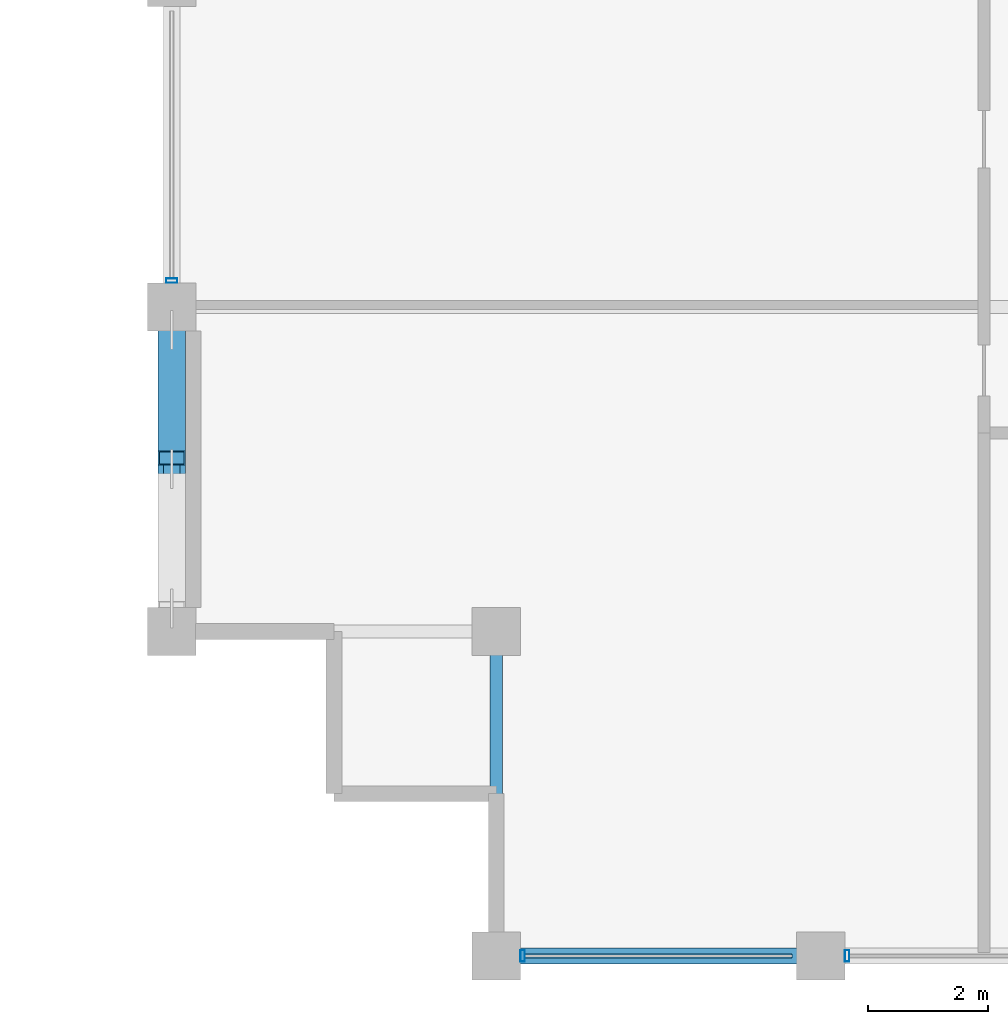
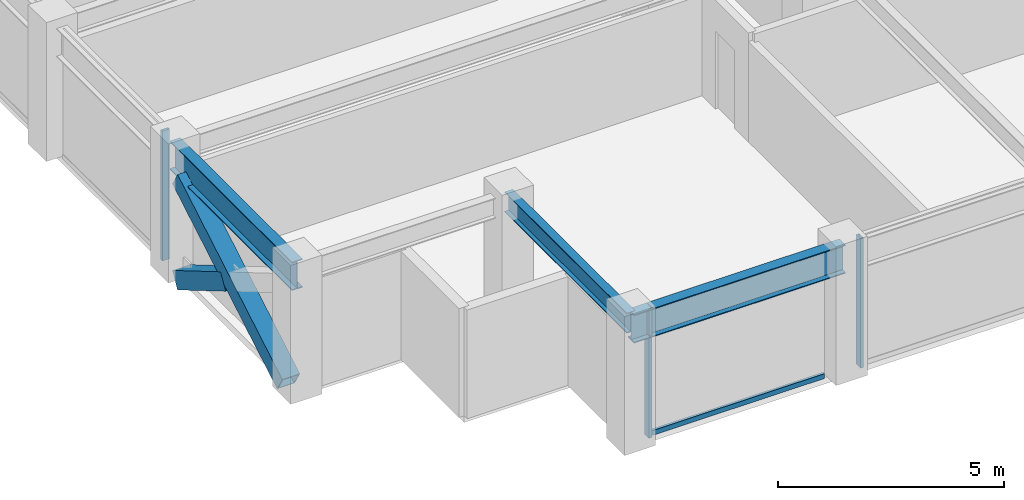
# One storey, part 2 of 28: 6 members, 3 beams, 2 elements without a shape of their own.
"""IFC4 building model written with IfcOpenShell, lengths in metres."""

from ifc_helpers import new_model, si_unit, direction, frame, origin, origin_2d, place, context, subcontext, project, spatial, hollow_rectangle, i_section, extrude, material, layer, layer_set, material_profile, profile_set, type_object, element, aggregate, save


model = new_model("IFC4")

# Units and contexts
model_context = context("Model", 3, precision=1e-05, world=origin(), true_north=direction((0.0, 1.0)))
body_context = subcontext(model_context, "Body", "Model", "MODEL_VIEW")
ifc_project = project(units=[si_unit("LENGTHUNIT", "METRE"), si_unit("AREAUNIT", "SQUARE_METRE"), si_unit("VOLUMEUNIT", "CUBIC_METRE"), si_unit("PLANEANGLEUNIT", "RADIAN"), si_unit("MASSUNIT", "GRAM", prefix="KILO")], contexts=[model_context])

# Site, building, storey
site_placement = place(None, origin())
site = spatial("IfcSite", under=ifc_project, at=site_placement, CompositionType="ELEMENT")
building_placement = place(site_placement, origin())
building = spatial("IfcBuilding", under=site, at=building_placement, Name="Surkhivell Harbour Commons", CompositionType="ELEMENT")
storey_placement = place(building_placement, frame((0.0, 0.0, 246.0)))
storey = spatial("IfcBuildingStorey", under=building, at=storey_placement, Name="L64", CompositionType="ELEMENT", Elevation=246.0)

# Beams
ifc_material_1 = material(Name="Steel S355", Category="steel")
ifc_material_profile_1 = material_profile(ifc_material_1, i_section(OverallWidth=0.2119140625, OverallDepth=0.5439453125, WebThickness=0.0126953125, FlangeThickness=0.021240234375, at=origin_2d()), Name="UB533x210x122")
ifc_profile_set_1 = profile_set([ifc_material_profile_1], Name="Steel S355")
beam_type_1 = type_object("IfcBeamType", Name="BM-GRD-533A", PredefinedType="BEAM", material=ifc_profile_set_1)
beam_1_placement = place(storey_placement, frame((-21.60009765625, -21.60009765625, 3.22802734375), z_axis=(0.0, 1.0, 0.0), x_axis=(-1.0, 0.0, 0.0)))
element("IfcBeam", 1, at=beam_1_placement, inside=storey, type_object=beam_type_1, Name="L64 Floor Girder (-21.6,-21.6)", PredefinedType="BEAM", context=body_context, shape_type="SweptSolid", body=[
    extrude(i_section(OverallWidth=0.2119140625, OverallDepth=0.5439453125, WebThickness=0.0126953125, FlangeThickness=0.021240234375, at=origin_2d()), origin(), (0.0, 0.0, 1.0), 5.400146484375),
])
ifc_material_profile_2 = material_profile(ifc_material_1, i_section(OverallWidth=0.26806640625, OverallDepth=0.77001953125, WebThickness=0.015625, FlangeThickness=0.025390625, at=origin_2d()), Name="UB762x267x197")
ifc_profile_set_2 = profile_set([ifc_material_profile_2], Name="Steel S355")
beam_type_2 = type_object("IfcBeamType", Name="BM-SPN-762", PredefinedType="SPANDREL", material=ifc_profile_set_2)
beam_2_placement = place(storey_placement, frame((-27.0, -16.199951171875, 3.114990234375), z_axis=(0.0, 1.0, 0.0), x_axis=(-1.0, 0.0, 0.0)))
element("IfcBeam", 2, at=beam_2_placement, inside=storey, type_object=beam_type_2, Name="L64 Tube Spandrel (-27.0,-16.2)", PredefinedType="SPANDREL", context=body_context, shape_type="SweptSolid", body=[
    extrude(i_section(OverallWidth=0.26806640625, OverallDepth=0.77001953125, WebThickness=0.015625, FlangeThickness=0.025390625, at=origin_2d()), origin(), (0.0, 0.0, 1.0), 5.39990234375),
])
beam_3_placement = place(storey_placement, frame((-21.60009765625, -21.60009765625, 3.114990234375), z_axis=(1.0, 0.0, 0.0), x_axis=(0.0, 1.0, 0.0)))
element("IfcBeam", 3, at=beam_3_placement, inside=storey, type_object=beam_type_2, Name="L64 Tube Spandrel (-21.6,-21.6)", PredefinedType="SPANDREL", context=body_context, shape_type="SweptSolid", body=[
    extrude(i_section(OverallWidth=0.26806640625, OverallDepth=0.77001953125, WebThickness=0.015625, FlangeThickness=0.025390625, at=origin_2d()), origin(), (0.0, 0.0, 1.0), 5.400146484375),
])

# Curtain wall, members
ifc_material_2 = material(Name="Anodised pale-metal aluminium and insulated glazing", Category="aluminium")
ifc_layer = layer(ifc_material_2, 0.18994140625)
ifc_layer_set = layer_set([ifc_layer], Name="Anodised pale-metal aluminium and insulated glazing")
curtain_wall_type = type_object("IfcCurtainWallType", Name="CW-SYS-Z3", PredefinedType="NOTDEFINED", material=ifc_layer_set)
curtain_wall_1_placement = place(storey_placement, origin())
curtain_wall_1 = element("IfcCurtainWall", 4, at=curtain_wall_1_placement, inside=storey, type_object=curtain_wall_type, Name="L64 Curtain Wall CW-L64-E00S1", PredefinedType="NOTDEFINED")
ifc_material_3 = material(Name="Anodised pale-metal aluminium alloy 6063-T6", Category="aluminium")
ifc_material_profile_3 = material_profile(ifc_material_3, hollow_rectangle(XDim=0.074951171875, YDim=0.18994140625, WallThickness=0.00390625, at=origin_2d()), Name="ALU-MULL-75x190")
ifc_profile_set_3 = profile_set([ifc_material_profile_3], Name="Anodised pale-metal aluminium alloy 6063-T6")
member_type_1 = type_object("IfcMemberType", Name="CWM-190", PredefinedType="MULLION", material=ifc_profile_set_3)
member_1_placement = place(storey_placement, frame((-21.160400390625, -21.60009765625, 0.0), z_axis=(0.0, 0.0, 1.0), x_axis=(1.0, 0.0, 0.0)))
member_1 = element("IfcMember", 5, at=member_1_placement, type_object=member_type_1, Name="CW-Z3 mullion 1", PredefinedType="MULLION", context=body_context, shape_type="SweptSolid", body=[
    extrude(hollow_rectangle(XDim=0.074951171875, YDim=0.18994140625, WallThickness=0.00390625, at=origin_2d()), origin(), (0.0, 0.0, 1.0), 3.5),
])
member_2_placement = place(storey_placement, frame((-15.760498046875, -21.60009765625, 0.0), z_axis=(0.0, 0.0, 1.0), x_axis=(1.0, 0.0, 0.0)))
member_2 = element("IfcMember", 6, at=member_2_placement, type_object=member_type_1, Name="CW-Z3 mullion 2", PredefinedType="MULLION", context=body_context, shape_type="SweptSolid", body=[
    extrude(hollow_rectangle(XDim=0.074951171875, YDim=0.18994140625, WallThickness=0.00390625, at=origin_2d()), origin(), (0.0, 0.0, 1.0), 3.5),
])

# Curtain wall, member
curtain_wall_2_placement = place(storey_placement, origin())
curtain_wall_2 = element("IfcCurtainWall", 7, at=curtain_wall_2_placement, inside=storey, type_object=curtain_wall_type, Name="L64 Curtain Wall CW-L64-E12R1S1", PredefinedType="NOTDEFINED")
member_3_placement = place(storey_placement, frame((-27.0, -10.360595703125, 0.0), z_axis=(0.0, 0.0, 1.0), x_axis=(0.0, 1.0, 0.0)))
member_3 = element("IfcMember", 8, at=member_3_placement, type_object=member_type_1, Name="CW-Z3 mullion 1", PredefinedType="MULLION", context=body_context, shape_type="SweptSolid", body=[
    extrude(hollow_rectangle(XDim=0.074951171875, YDim=0.18994140625, WallThickness=0.00390625, at=origin_2d()), origin(), (0.0, 0.0, 1.0), 3.5),
])
aggregate(curtain_wall_2, [member_3])

# Member
ifc_material_4 = material(Name="Champagne anodised aluminium alloy 6063-T6", Category="aluminium")
ifc_material_profile_4 = material_profile(ifc_material_4, hollow_rectangle(XDim=0.070068359375, YDim=0.1298828125, WallThickness=0.00341796875, at=origin_2d()), Name="ALU-TRAN-70x130")
ifc_profile_set_4 = profile_set([ifc_material_profile_4], Name="Champagne anodised aluminium alloy 6063-T6")
member_type_2 = type_object("IfcMemberType", Name="CWT-130", PredefinedType="USERDEFINED", material=ifc_profile_set_4)
member_4_placement = place(storey_placement, frame((-21.123046875, -21.60009765625, 0.06494140625), z_axis=(1.0, 0.0, 0.0), x_axis=(0.0, 1.0, 0.0)))
member_4 = element("IfcMember", 9, at=member_4_placement, type_object=member_type_2, Name="CW-Z3 transom 1.1", ObjectType="TRANSOM", PredefinedType="USERDEFINED", context=body_context, shape_type="SweptSolid", body=[
    extrude(hollow_rectangle(XDim=0.070068359375, YDim=0.1298828125, WallThickness=0.00341796875, at=origin_2d()), origin(), (0.0, 0.0, 1.0), 4.446044921875),
])

aggregate(curtain_wall_1, [member_1, member_4, member_2])

# Members
ifc_material_5 = material(Name="Steel S460", Category="steel")
ifc_material_profile_5 = material_profile(ifc_material_5, hollow_rectangle(XDim=0.449951171875, YDim=0.449951171875, WallThickness=0.02197265625, at=origin_2d()), Name="SHS450x450x22")
ifc_profile_set_5 = profile_set([ifc_material_profile_5], Name="Steel S460")
member_type_3 = type_object("IfcMemberType", Name="MEM-BRC-SHS450", PredefinedType="BRACE", material=ifc_profile_set_5)
member_5_placement = place(storey_placement, frame((-27.0, -15.81494140625, 0.008056640625), z_axis=(0.0, 0.861741408659, 0.507347755098), x_axis=(-1.0, 0.0, 0.0)))
element("IfcMember", 10, at=member_5_placement, inside=storey, type_object=member_type_3, Name="L64 Perimeter Mega-Brace MB- 10", PredefinedType="BRACE", context=body_context, shape_type="SweptSolid", body=[
    extrude(hollow_rectangle(XDim=0.449951171875, YDim=0.449951171875, WallThickness=0.02197265625, at=origin_2d()), origin(), (0.0, 0.0, 1.0), 5.372802734375),
])
member_6_placement = place(storey_placement, frame((-27.0, -11.18505859375, 0.008056640625), z_axis=(0.0, -0.861735995374, 0.50735694957), x_axis=(1.0, 0.0, 0.0)))
element("IfcMember", 11, at=member_6_placement, inside=storey, type_object=member_type_3, Name="L64 Perimeter Mega-Brace MB- 11", PredefinedType="BRACE", context=body_context, shape_type="SweptSolid", body=[
    extrude(hollow_rectangle(XDim=0.449951171875, YDim=0.449951171875, WallThickness=0.02197265625, at=origin_2d()), origin(), (0.0, 0.0, 1.0), 2.470458984375),
])

save(model, "model.ifc")
